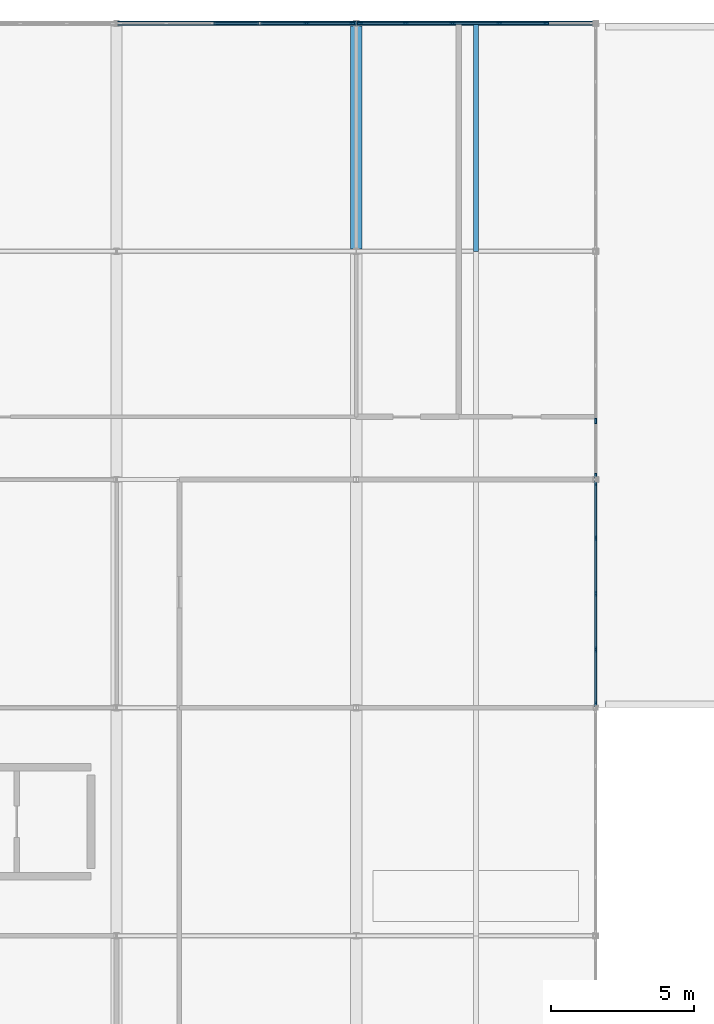
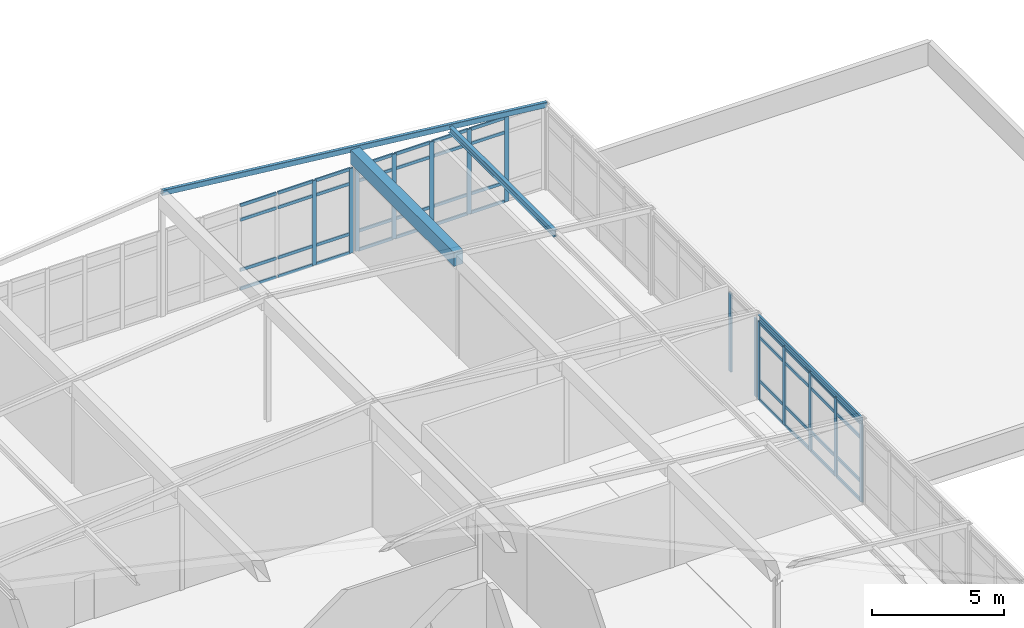
# One storey, part 13 of 25: 59 members, 3 beams, 4 elements without a shape of their own.
"""IFC4 building model written with IfcOpenShell, lengths in metres."""

import ifcopenshell
import ifcopenshell.guid

model = None  # the IFC model being written
_history = None  # IfcOwnerHistory: only IFC2X3 demands one
_inside = {}  # id of a spatial element -> (the spatial element, [elements in it])
_under = {}  # id of a project, library or spatial element -> (it, [spatial elements below it])
_declared = {}  # id of a project -> (the project, [libraries it declares])
_typed = {}  # id of a type object -> (the type object, [elements of that type])
_made_of = {}  # id of a material, layer set ... -> (it, [elements and type objects made of it])


def new_model(schema):
    """Start an empty IFC model of exactly this schema.

    Asked for "IFC4X3", IfcOpenShell would pick the latest addendum, in which some entities
    have other attributes; the version numbers below select the first issue.
    IFC2X3 requires an IfcOwnerHistory on every rooted entity: one is made here for all.
    """
    global model, _history
    if schema == "IFC4X3":
        model = ifcopenshell.file(schema_version=(4, 3, 0, 0))
    else:
        model = ifcopenshell.file(schema=schema)
    _inside.clear()
    _under.clear()
    _declared.clear()
    _typed.clear()
    _made_of.clear()
    _history = None
    if model.schema == "IFC2X3":
        org = make("IfcOrganization", Name="unknown")
        user = make(
            "IfcPersonAndOrganization",
            ThePerson=make("IfcPerson", FamilyName="unknown"),
            TheOrganization=org,
        )
        app = make(
            "IfcApplication",
            ApplicationDeveloper=org,
            Version="unknown",
            ApplicationFullName="unknown",
            ApplicationIdentifier="unknown",
        )
        _history = make(
            "IfcOwnerHistory",
            OwningUser=user,
            OwningApplication=app,
            ChangeAction="ADDED",
            CreationDate=0,
        )
    return model


def make(cls, **values):
    """One entity of the class cls with the attributes given. An attribute that is None is left unset."""
    return model.create_entity(
        cls, **{name: value for name, value in values.items() if value is not None}
    )


def rooted(cls, **values):
    """An entity with a GlobalId (a new one), such as an element, a storey or a relation."""
    return make(cls, GlobalId=ifcopenshell.guid.new(), OwnerHistory=_history, **values)


def si_unit(unit_type, name, prefix=None):
    """IfcSIUnit, for example si_unit("LENGTHUNIT", "METRE", prefix="MILLI")."""
    return make("IfcSIUnit", UnitType=unit_type, Prefix=prefix, Name=name)


def assignment(units):
    """IfcUnitAssignment: the units of a project."""
    return None if units is None else make("IfcUnitAssignment", Units=units)


def point(xyz):
    """IfcCartesianPoint."""
    return None if xyz is None else make("IfcCartesianPoint", Coordinates=xyz)


def direction(xyz):
    """IfcDirection."""
    return None if xyz is None else make("IfcDirection", DirectionRatios=xyz)


def frame(location, z_axis=None, x_axis=None):
    """IfcAxis2Placement3D, a coordinate frame: its origin and axes. An axis left out is left unset."""
    return make(
        "IfcAxis2Placement3D",
        Location=point(location),
        Axis=direction(z_axis),
        RefDirection=direction(x_axis),
    )


def frame_2d(location, x_axis=None):
    """IfcAxis2Placement2D, a coordinate frame in the plane: its origin and x axis."""
    return make(
        "IfcAxis2Placement2D", Location=point(location), RefDirection=direction(x_axis)
    )


def origin():
    """The frame at (0, 0, 0) with its axes left unset."""
    return frame((0.0, 0.0, 0.0))


def origin_2d():
    """The frame at (0, 0) in the plane with its x axis left unset."""
    return frame_2d((0.0, 0.0))


def place(relative_to, where):
    """IfcLocalPlacement: puts the frame where relative to a parent placement (None: the world)."""
    return make(
        "IfcLocalPlacement", PlacementRelTo=relative_to, RelativePlacement=where
    )


def context(
    kind, dimensions, precision=None, world=None, true_north=None, identifier=None
):
    """IfcGeometricRepresentationContext, for example the 3D "Model" context."""
    return make(
        "IfcGeometricRepresentationContext",
        ContextIdentifier=identifier,
        ContextType=kind,
        CoordinateSpaceDimension=dimensions,
        Precision=precision,
        WorldCoordinateSystem=world,
        TrueNorth=true_north,
    )


def subcontext(parent, identifier, kind, view, scale=None):
    """IfcGeometricRepresentationSubContext, for example "Body" below "Model"."""
    return make(
        "IfcGeometricRepresentationSubContext",
        ContextIdentifier=identifier,
        ContextType=kind,
        ParentContext=parent,
        TargetScale=scale,
        TargetView=view,
    )


def project(units=None, contexts=None):
    """IfcProject with its units and contexts."""
    return rooted(
        "IfcProject",
        Name="project",
        RepresentationContexts=contexts,
        UnitsInContext=assignment(units),
    )


def spatial(cls, under=None, at=None, **own):
    """A site, building, storey or space (cls), placed at a placement, below another one or the project."""
    s = rooted(cls, ObjectPlacement=at, **own)
    if under is not None:
        _under.setdefault(under.id(), (under, []))[1].append(s)
    return s


def profile(cls, at=None, kind="AREA", **sizes):
    """A parametric profile (cls). Its sizes go by their IFC names, for example OverallWidth=200.0."""
    return make(cls, ProfileType=kind, Position=at, **sizes)


def rectangle(**sizes):
    """IfcRectangleProfileDef."""
    return profile("IfcRectangleProfileDef", **sizes)


def hollow_rectangle(**sizes):
    """IfcRectangleHollowProfileDef."""
    return profile("IfcRectangleHollowProfileDef", **sizes)


def i_section(**sizes):
    """IfcIShapeProfileDef."""
    return profile("IfcIShapeProfileDef", **sizes)


def u_section(**sizes):
    """IfcUShapeProfileDef."""
    return profile("IfcUShapeProfileDef", **sizes)


def extrude(swept, where, along, depth):
    """IfcExtrudedAreaSolid: the profile swept, set in the frame where, extruded along a direction by depth."""
    return make(
        "IfcExtrudedAreaSolid",
        SweptArea=swept,
        Position=where,
        ExtrudedDirection=direction(along),
        Depth=depth,
    )


def shape(context_of_items, identifier, shape_type, items):
    """IfcShapeRepresentation: the items that make up one representation, for example the "Body"."""
    return make(
        "IfcShapeRepresentation",
        ContextOfItems=context_of_items,
        RepresentationIdentifier=identifier,
        RepresentationType=shape_type,
        Items=items,
    )


def material(Name=None, Category=None):
    """IfcMaterial."""
    return make("IfcMaterial", Name=Name, Category=Category)


def layer(
    of_material, thickness, ventilated=None, Name=None, Category=None, Priority=None
):
    """IfcMaterialLayer: one layer of a wall or slab, of a material (None: an air gap)."""
    return make(
        "IfcMaterialLayer",
        Material=of_material,
        LayerThickness=thickness,
        IsVentilated=ventilated,
        Name=Name,
        Category=Category,
        Priority=Priority,
    )


def layer_set(layers, Name=None):
    """IfcMaterialLayerSet."""
    return make("IfcMaterialLayerSet", MaterialLayers=layers, LayerSetName=Name)


def material_profile(
    of_material, cross_section, Name=None, Category=None, Priority=None
):
    """IfcMaterialProfile: a cross section and its material."""
    return make(
        "IfcMaterialProfile",
        Name=Name,
        Material=of_material,
        Profile=cross_section,
        Priority=Priority,
        Category=Category,
    )


def profile_set(profiles, Name=None, composite=None):
    """IfcMaterialProfileSet."""
    return make(
        "IfcMaterialProfileSet",
        Name=Name,
        MaterialProfiles=profiles,
        CompositeProfile=composite,
    )


def made_of(thing, what):
    """Note that an element or type object is made of a material, layer set ...; save() writes the relation."""
    if what is not None:
        _made_of.setdefault(what.id(), (what, []))[1].append(thing)
    return thing


def type_object(cls, material=None, **own):
    """A type object (cls), such as IfcWallType, which elements share."""
    return made_of(rooted(cls, **own), material)


def element(
    cls,
    number,
    at=None,
    inside=None,
    cuts=None,
    type_object=None,
    material=None,
    context=None,
    identifier="Body",
    shape_type=None,
    held_by="IfcProductDefinitionShape",
    body=None,
    shapes=None,
    **own,
):
    """One element of the class cls, such as IfcWall. Its Tag is "e" and its number.

    at: its placement. inside: the storey or other place that contains it. cuts: it is an
    opening in that element (IfcRelVoidsElement). A single representation is given by context,
    identifier, shape_type and body (its items); several are given by shapes. held_by: the class
    of the entity that holds the representations. save() writes the other relations.
    """
    e = rooted(cls, Tag="e%d" % number, ObjectPlacement=at, **own)
    if body is not None:
        shapes = [shape(context, identifier, shape_type, body)]
    if shapes is not None:
        e.Representation = make(held_by, Representations=shapes)
    if inside is not None:
        _inside.setdefault(inside.id(), (inside, []))[1].append(e)
    if cuts is not None:
        rooted(
            "IfcRelVoidsElement", RelatingBuildingElement=cuts, RelatedOpeningElement=e
        )
    if type_object is not None:
        _typed.setdefault(type_object.id(), (type_object, []))[1].append(e)
    return made_of(e, material)


def aggregate(whole, parts):
    """IfcRelAggregates: a whole, such as a stair, and the parts it consists of."""
    return rooted("IfcRelAggregates", RelatingObject=whole, RelatedObjects=parts)


def save(model, path):
    """Write the relations noted so far, then the file.

    IfcRelAggregates (storeys below a building ...), IfcRelContainedInSpatialStructure (elements
    in a storey), IfcRelDefinesByType, IfcRelAssociatesMaterial and IfcRelDeclares: one each for
    every whole, place, type object, material and project.
    """
    for whole, parts in _under.values():
        aggregate(whole, parts)
    for where, things in _inside.values():
        rooted(
            "IfcRelContainedInSpatialStructure",
            RelatedElements=things,
            RelatingStructure=where,
        )
    for kind, things in _typed.values():
        rooted("IfcRelDefinesByType", RelatedObjects=things, RelatingType=kind)
    for what, things in _made_of.values():
        rooted("IfcRelAssociatesMaterial", RelatedObjects=things, RelatingMaterial=what)
    for by, libraries in _declared.values():
        rooted("IfcRelDeclares", RelatingContext=by, RelatedDefinitions=libraries)
    model.write(path)


model = new_model("IFC4")

# Units and contexts
model_context = context("Model", 3, precision=1e-05, world=origin(), true_north=direction((0.0, 1.0)))
body_context = subcontext(model_context, "Body", "Model", "MODEL_VIEW")
ifc_project = project(units=[si_unit("LENGTHUNIT", "METRE"), si_unit("AREAUNIT", "SQUARE_METRE"), si_unit("VOLUMEUNIT", "CUBIC_METRE"), si_unit("PLANEANGLEUNIT", "RADIAN"), si_unit("MASSUNIT", "GRAM", prefix="KILO")], contexts=[model_context])

# Site, building, storey
site_placement = place(None, origin())
site = spatial("IfcSite", under=ifc_project, at=site_placement, CompositionType="ELEMENT")
building_placement = place(site_placement, origin())
building = spatial("IfcBuilding", under=site, at=building_placement, Name="Kranzveld Transit Interchange", CompositionType="ELEMENT")
storey_placement = place(building_placement, frame((0.0, 0.0, 21.0400390625)))
storey = spatial("IfcBuildingStorey", under=building, at=storey_placement, Name="L05", CompositionType="ELEMENT", Elevation=21.0400390625)

# Beam
ifc_material_1 = material(Name="Concrete C35/45", Category="concrete")
ifc_material_profile_1 = material_profile(ifc_material_1, rectangle(XDim=0.39990234375, YDim=0.64990234375, at=origin_2d()), Name="RC 400x650")
ifc_profile_set_1 = profile_set([ifc_material_profile_1], Name="Concrete C35/45")
beam_type_1 = type_object("IfcBeamType", Name="Beam RC 400x650 C35/45", PredefinedType="BEAM", material=ifc_profile_set_1)
beam_1_placement = place(storey_placement, frame((25.199951171875, 104.091552734375, 4.494873046875), z_axis=(0.0, 1.0, 0.0), x_axis=(-1.0, 0.0, 0.0)))
element("IfcBeam", 1, at=beam_1_placement, inside=storey, type_object=beam_type_1, Name="L05 Crown Beam 04/P-Q", PredefinedType="BEAM", context=body_context, shape_type="SweptSolid", body=[
    extrude(rectangle(XDim=0.39990234375, YDim=0.64990234375, at=origin_2d()), origin(), (0.0, 0.0, 1.0), 7.81689453125),
])

# Curtain wall, members
ifc_material_2 = material(Name="Bronze-anodised thermally broken aluminium", Category="aluminium")
ifc_layer = layer(ifc_material_2, 0.18505859375)
ifc_layer_set = layer_set([ifc_layer], Name="Bronze-anodised thermally broken aluminium")
curtain_wall_type = type_object("IfcCurtainWallType", Name="Control Crown Observation Facade CW-5", PredefinedType="USERDEFINED", material=ifc_layer_set)
curtain_wall_1_placement = place(storey_placement, origin())
curtain_wall_1 = element("IfcCurtainWall", 2, at=curtain_wall_1_placement, inside=storey, type_object=curtain_wall_type, Name="L05 Curtain Wall 05/M-05/N", ObjectType="CURTAIN WALL", PredefinedType="USERDEFINED")
ifc_material_3 = material(Name="Bronze-anodised thermally broken aluminium", Category="aluminium")
ifc_material_profile_2 = material_profile(ifc_material_3, rectangle(XDim=0.06494140625, YDim=0.179931640625, at=origin_2d()), Name="ALU MULLION 65x180")
ifc_profile_set_2 = profile_set([ifc_material_profile_2], Name="Bronze-anodised thermally broken aluminium")
member_type_1 = type_object("IfcMemberType", Name="Curtain Wall Mullion 65x180 Alu", PredefinedType="MULLION", material=ifc_profile_set_2)
member_1_placement = place(storey_placement, frame((33.60009765625, 88.12255859375, 0.0), z_axis=(0.0, 0.0, 1.0), x_axis=(-1.0, 0.0, 0.0)))
member_1 = element("IfcMember", 3, at=member_1_placement, type_object=member_type_1, Name="CW-5 mullion 1", PredefinedType="MULLION", context=body_context, shape_type="SweptSolid", body=[
    extrude(rectangle(XDim=0.06494140625, YDim=0.179931640625, at=origin_2d()), origin(), (0.0, 0.0, 1.0), 3.619873046875),
])
member_2_placement = place(storey_placement, frame((33.60009765625, 90.04248046875, 0.0), z_axis=(0.0, 0.0, 1.0), x_axis=(-1.0, 0.0, 0.0)))
member_2 = element("IfcMember", 4, at=member_2_placement, type_object=member_type_1, Name="CW-5 mullion 2", PredefinedType="MULLION", context=body_context, shape_type="SweptSolid", body=[
    extrude(rectangle(XDim=0.06494140625, YDim=0.179931640625, at=origin_2d()), origin(), (0.0, 0.0, 1.0), 3.619873046875),
])
member_3_placement = place(storey_placement, frame((33.60009765625, 91.9951171875, 0.0), z_axis=(0.0, 0.0, 1.0), x_axis=(-1.0, 0.0, 0.0)))
member_3 = element("IfcMember", 5, at=member_3_placement, type_object=member_type_1, Name="CW-5 mullion 3", PredefinedType="MULLION", context=body_context, shape_type="SweptSolid", body=[
    extrude(rectangle(XDim=0.06494140625, YDim=0.179931640625, at=origin_2d()), origin(), (0.0, 0.0, 1.0), 3.619873046875),
])
member_4_placement = place(storey_placement, frame((33.60009765625, 93.947509765625, 0.0), z_axis=(0.0, 0.0, 1.0), x_axis=(-1.0, 0.0, 0.0)))
member_4 = element("IfcMember", 6, at=member_4_placement, type_object=member_type_1, Name="CW-5 mullion 4", PredefinedType="MULLION", context=body_context, shape_type="SweptSolid", body=[
    extrude(rectangle(XDim=0.06494140625, YDim=0.179931640625, at=origin_2d()), origin(), (0.0, 0.0, 1.0), 3.619873046875),
])
member_5_placement = place(storey_placement, frame((33.60009765625, 95.867431640625, 0.0), z_axis=(0.0, 0.0, 1.0), x_axis=(-1.0, 0.0, 0.0)))
member_5 = element("IfcMember", 7, at=member_5_placement, type_object=member_type_1, Name="CW-5 mullion 5", PredefinedType="MULLION", context=body_context, shape_type="SweptSolid", body=[
    extrude(rectangle(XDim=0.06494140625, YDim=0.179931640625, at=origin_2d()), origin(), (0.0, 0.0, 1.0), 3.619873046875),
])

curtain_wall_2_placement = place(storey_placement, origin())
curtain_wall_2 = element("IfcCurtainWall", 8, at=curtain_wall_2_placement, inside=storey, type_object=curtain_wall_type, Name="L05 Curtain Wall 05/N-05/P", ObjectType="CURTAIN WALL", PredefinedType="USERDEFINED")
member_6_placement = place(storey_placement, frame((33.60009765625, 96.132568359375, 0.0), z_axis=(0.0, 0.0, 1.0), x_axis=(-1.0, 0.0, 0.0)))
member_6 = element("IfcMember", 9, at=member_6_placement, type_object=member_type_1, Name="CW-5 mullion 1", PredefinedType="MULLION", context=body_context, shape_type="SweptSolid", body=[
    extrude(rectangle(XDim=0.06494140625, YDim=0.179931640625, at=origin_2d()), origin(), (0.0, 0.0, 1.0), 3.619873046875),
])
member_7_placement = place(storey_placement, frame((33.60009765625, 98.050048828125, 0.0), z_axis=(0.0, 0.0, 1.0), x_axis=(-1.0, 0.0, 0.0)))
member_7 = element("IfcMember", 10, at=member_7_placement, type_object=member_type_1, Name="CW-5 mullion 2", PredefinedType="MULLION", context=body_context, shape_type="SweptSolid", body=[
    extrude(rectangle(XDim=0.06494140625, YDim=0.179931640625, at=origin_2d()), origin(), (0.0, 0.0, 1.0), 3.619873046875),
])
aggregate(curtain_wall_2, [member_6, member_7])

curtain_wall_3_placement = place(storey_placement, origin())
curtain_wall_3 = element("IfcCurtainWall", 11, at=curtain_wall_3_placement, inside=storey, type_object=curtain_wall_type, Name="L05 Curtain Wall 03/Q-04/Q", ObjectType="CURTAIN WALL", PredefinedType="USERDEFINED")
member_8_placement = place(storey_placement, frame((23.458984375, 112.0, 0.0), z_axis=(0.0, 0.0, 1.0), x_axis=(0.0, 1.0, 0.0)))
member_8 = element("IfcMember", 12, at=member_8_placement, type_object=member_type_1, Name="CW-5 mullion 5", PredefinedType="MULLION", context=body_context, shape_type="SweptSolid", body=[
    extrude(rectangle(XDim=0.06494140625, YDim=0.179931640625, at=origin_2d()), origin(), (0.0, 0.0, 1.0), 3.919921875),
])
member_9_placement = place(storey_placement, frame((25.065673828125, 112.0, 0.0), z_axis=(0.0, 0.0, 1.0), x_axis=(0.0, 1.0, 0.0)))
member_9 = element("IfcMember", 13, at=member_9_placement, type_object=member_type_1, Name="CW-5 mullion 6", PredefinedType="MULLION", context=body_context, shape_type="SweptSolid", body=[
    extrude(rectangle(XDim=0.06494140625, YDim=0.179931640625, at=origin_2d()), origin(), (0.0, 0.0, 1.0), 3.919921875),
])

curtain_wall_4_placement = place(storey_placement, origin())
curtain_wall_4 = element("IfcCurtainWall", 14, at=curtain_wall_4_placement, inside=storey, type_object=curtain_wall_type, Name="L05 Curtain Wall 04/Q-05/Q", ObjectType="CURTAIN WALL", PredefinedType="USERDEFINED")
member_10_placement = place(storey_placement, frame((25.334228515625, 112.0, 0.0), z_axis=(0.0, 0.0, 1.0), x_axis=(0.0, 1.0, 0.0)))
member_10 = element("IfcMember", 15, at=member_10_placement, type_object=member_type_1, Name="CW-5 mullion 1", PredefinedType="MULLION", context=body_context, shape_type="SweptSolid", body=[
    extrude(rectangle(XDim=0.06494140625, YDim=0.179931640625, at=origin_2d()), origin(), (0.0, 0.0, 1.0), 3.919921875),
])
member_11_placement = place(storey_placement, frame((26.94140625, 112.0, 0.0), z_axis=(0.0, 0.0, 1.0), x_axis=(0.0, 1.0, 0.0)))
member_11 = element("IfcMember", 16, at=member_11_placement, type_object=member_type_1, Name="CW-5 mullion 2", PredefinedType="MULLION", context=body_context, shape_type="SweptSolid", body=[
    extrude(rectangle(XDim=0.06494140625, YDim=0.179931640625, at=origin_2d()), origin(), (0.0, 0.0, 1.0), 3.919921875),
])
member_12_placement = place(storey_placement, frame((28.5810546875, 112.0, 0.0), z_axis=(0.0, 0.0, 1.0), x_axis=(0.0, 1.0, 0.0)))
member_12 = element("IfcMember", 17, at=member_12_placement, type_object=member_type_1, Name="CW-5 mullion 3", PredefinedType="MULLION", context=body_context, shape_type="SweptSolid", body=[
    extrude(rectangle(XDim=0.06494140625, YDim=0.179931640625, at=origin_2d()), origin(), (0.0, 0.0, 1.0), 3.919921875),
])
member_13_placement = place(storey_placement, frame((30.220703125, 112.0, 0.0), z_axis=(0.0, 0.0, 1.0), x_axis=(0.0, 1.0, 0.0)))
member_13 = element("IfcMember", 18, at=member_13_placement, type_object=member_type_1, Name="CW-5 mullion 4", PredefinedType="MULLION", context=body_context, shape_type="SweptSolid", body=[
    extrude(rectangle(XDim=0.06494140625, YDim=0.179931640625, at=origin_2d()), origin(), (0.0, 0.0, 1.0), 3.919921875),
])
member_14_placement = place(storey_placement, frame((31.8603515625, 112.0, 0.0), z_axis=(0.0, 0.0, 1.0), x_axis=(0.0, 1.0, 0.0)))
member_14 = element("IfcMember", 19, at=member_14_placement, type_object=member_type_1, Name="CW-5 mullion 5", PredefinedType="MULLION", context=body_context, shape_type="SweptSolid", body=[
    extrude(rectangle(XDim=0.06494140625, YDim=0.179931640625, at=origin_2d()), origin(), (0.0, 0.0, 1.0), 3.919921875),
])

# Member
ifc_material_4 = material(Name="Bronze-anodised thermally broken aluminium", Category="aluminium")
ifc_material_profile_3 = material_profile(ifc_material_4, rectangle(XDim=0.06494140625, YDim=0.139892578125, at=origin_2d()), Name="ALU TRANSOM 65x140")
ifc_profile_set_3 = profile_set([ifc_material_profile_3], Name="Bronze-anodised thermally broken aluminium")
member_type_2 = type_object("IfcMemberType", Name="Curtain Wall Transom 65x140 Alu", PredefinedType="USERDEFINED", material=ifc_profile_set_3)
member_15_placement = place(storey_placement, frame((33.60009765625, 88.155029296875, 0.032470703125), z_axis=(0.0, 1.0, 0.0), x_axis=(-1.0, 0.0, 0.0)))
member_15 = element("IfcMember", 20, at=member_15_placement, type_object=member_type_2, Name="CW-5 transom 1.1", ObjectType="TRANSOM", PredefinedType="USERDEFINED", context=body_context, shape_type="SweptSolid", body=[
    extrude(rectangle(XDim=0.06494140625, YDim=0.139892578125, at=origin_2d()), origin(), (0.0, 0.0, 1.0), 1.85498046875),
])

member_16_placement = place(storey_placement, frame((33.60009765625, 88.155029296875, 0.89990234375), z_axis=(0.0, 1.0, 0.0), x_axis=(-1.0, 0.0, 0.0)))
member_16 = element("IfcMember", 21, at=member_16_placement, type_object=member_type_2, Name="CW-5 transom 1.2", ObjectType="TRANSOM", PredefinedType="USERDEFINED", context=body_context, shape_type="SweptSolid", body=[
    extrude(rectangle(XDim=0.06494140625, YDim=0.139892578125, at=origin_2d()), origin(), (0.0, 0.0, 1.0), 1.85498046875),
])

member_17_placement = place(storey_placement, frame((33.60009765625, 88.155029296875, 2.919921875), z_axis=(0.0, 1.0, 0.0), x_axis=(-1.0, 0.0, 0.0)))
member_17 = element("IfcMember", 22, at=member_17_placement, type_object=member_type_2, Name="CW-5 transom 1.3", ObjectType="TRANSOM", PredefinedType="USERDEFINED", context=body_context, shape_type="SweptSolid", body=[
    extrude(rectangle(XDim=0.06494140625, YDim=0.139892578125, at=origin_2d()), origin(), (0.0, 0.0, 1.0), 1.85498046875),
])

member_18_placement = place(storey_placement, frame((33.60009765625, 88.155029296875, 3.58740234375), z_axis=(0.0, 1.0, 0.0), x_axis=(-1.0, 0.0, 0.0)))
member_18 = element("IfcMember", 23, at=member_18_placement, type_object=member_type_2, Name="CW-5 transom 1.4", ObjectType="TRANSOM", PredefinedType="USERDEFINED", context=body_context, shape_type="SweptSolid", body=[
    extrude(rectangle(XDim=0.06494140625, YDim=0.139892578125, at=origin_2d()), origin(), (0.0, 0.0, 1.0), 1.85498046875),
])

member_19_placement = place(storey_placement, frame((33.60009765625, 90.074951171875, 0.032470703125), z_axis=(0.0, 1.0, 0.0), x_axis=(-1.0, 0.0, 0.0)))
member_19 = element("IfcMember", 24, at=member_19_placement, type_object=member_type_2, Name="CW-5 transom 2.1", ObjectType="TRANSOM", PredefinedType="USERDEFINED", context=body_context, shape_type="SweptSolid", body=[
    extrude(rectangle(XDim=0.06494140625, YDim=0.139892578125, at=origin_2d()), origin(), (0.0, 0.0, 1.0), 1.887451171875),
])

member_20_placement = place(storey_placement, frame((33.60009765625, 90.074951171875, 0.89990234375), z_axis=(0.0, 1.0, 0.0), x_axis=(-1.0, 0.0, 0.0)))
member_20 = element("IfcMember", 25, at=member_20_placement, type_object=member_type_2, Name="CW-5 transom 2.2", ObjectType="TRANSOM", PredefinedType="USERDEFINED", context=body_context, shape_type="SweptSolid", body=[
    extrude(rectangle(XDim=0.06494140625, YDim=0.139892578125, at=origin_2d()), origin(), (0.0, 0.0, 1.0), 1.887451171875),
])

member_21_placement = place(storey_placement, frame((33.60009765625, 90.074951171875, 2.919921875), z_axis=(0.0, 1.0, 0.0), x_axis=(-1.0, 0.0, 0.0)))
member_21 = element("IfcMember", 26, at=member_21_placement, type_object=member_type_2, Name="CW-5 transom 2.3", ObjectType="TRANSOM", PredefinedType="USERDEFINED", context=body_context, shape_type="SweptSolid", body=[
    extrude(rectangle(XDim=0.06494140625, YDim=0.139892578125, at=origin_2d()), origin(), (0.0, 0.0, 1.0), 1.887451171875),
])

member_22_placement = place(storey_placement, frame((33.60009765625, 90.074951171875, 3.58740234375), z_axis=(0.0, 1.0, 0.0), x_axis=(-1.0, 0.0, 0.0)))
member_22 = element("IfcMember", 27, at=member_22_placement, type_object=member_type_2, Name="CW-5 transom 2.4", ObjectType="TRANSOM", PredefinedType="USERDEFINED", context=body_context, shape_type="SweptSolid", body=[
    extrude(rectangle(XDim=0.06494140625, YDim=0.139892578125, at=origin_2d()), origin(), (0.0, 0.0, 1.0), 1.887451171875),
])

member_23_placement = place(storey_placement, frame((33.60009765625, 92.027587890625, 0.032470703125), z_axis=(0.0, 1.0, 0.0), x_axis=(-1.0, 0.0, 0.0)))
member_23 = element("IfcMember", 28, at=member_23_placement, type_object=member_type_2, Name="CW-5 transom 3.1", ObjectType="TRANSOM", PredefinedType="USERDEFINED", context=body_context, shape_type="SweptSolid", body=[
    extrude(rectangle(XDim=0.06494140625, YDim=0.139892578125, at=origin_2d()), origin(), (0.0, 0.0, 1.0), 1.887451171875),
])

member_24_placement = place(storey_placement, frame((33.60009765625, 92.027587890625, 0.89990234375), z_axis=(0.0, 1.0, 0.0), x_axis=(-1.0, 0.0, 0.0)))
member_24 = element("IfcMember", 29, at=member_24_placement, type_object=member_type_2, Name="CW-5 transom 3.2", ObjectType="TRANSOM", PredefinedType="USERDEFINED", context=body_context, shape_type="SweptSolid", body=[
    extrude(rectangle(XDim=0.06494140625, YDim=0.139892578125, at=origin_2d()), origin(), (0.0, 0.0, 1.0), 1.887451171875),
])

member_25_placement = place(storey_placement, frame((33.60009765625, 92.027587890625, 2.919921875), z_axis=(0.0, 1.0, 0.0), x_axis=(-1.0, 0.0, 0.0)))
member_25 = element("IfcMember", 30, at=member_25_placement, type_object=member_type_2, Name="CW-5 transom 3.3", ObjectType="TRANSOM", PredefinedType="USERDEFINED", context=body_context, shape_type="SweptSolid", body=[
    extrude(rectangle(XDim=0.06494140625, YDim=0.139892578125, at=origin_2d()), origin(), (0.0, 0.0, 1.0), 1.887451171875),
])

member_26_placement = place(storey_placement, frame((33.60009765625, 92.027587890625, 3.58740234375), z_axis=(0.0, 1.0, 0.0), x_axis=(-1.0, 0.0, 0.0)))
member_26 = element("IfcMember", 31, at=member_26_placement, type_object=member_type_2, Name="CW-5 transom 3.4", ObjectType="TRANSOM", PredefinedType="USERDEFINED", context=body_context, shape_type="SweptSolid", body=[
    extrude(rectangle(XDim=0.06494140625, YDim=0.139892578125, at=origin_2d()), origin(), (0.0, 0.0, 1.0), 1.887451171875),
])

member_27_placement = place(storey_placement, frame((33.60009765625, 93.97998046875, 0.032470703125), z_axis=(0.0, 1.0, 0.0), x_axis=(-1.0, 0.0, 0.0)))
member_27 = element("IfcMember", 32, at=member_27_placement, type_object=member_type_2, Name="CW-5 transom 4.1", ObjectType="TRANSOM", PredefinedType="USERDEFINED", context=body_context, shape_type="SweptSolid", body=[
    extrude(rectangle(XDim=0.06494140625, YDim=0.139892578125, at=origin_2d()), origin(), (0.0, 0.0, 1.0), 1.85498046875),
])

member_28_placement = place(storey_placement, frame((33.60009765625, 93.97998046875, 0.89990234375), z_axis=(0.0, 1.0, 0.0), x_axis=(-1.0, 0.0, 0.0)))
member_28 = element("IfcMember", 33, at=member_28_placement, type_object=member_type_2, Name="CW-5 transom 4.2", ObjectType="TRANSOM", PredefinedType="USERDEFINED", context=body_context, shape_type="SweptSolid", body=[
    extrude(rectangle(XDim=0.06494140625, YDim=0.139892578125, at=origin_2d()), origin(), (0.0, 0.0, 1.0), 1.85498046875),
])

member_29_placement = place(storey_placement, frame((33.60009765625, 93.97998046875, 2.919921875), z_axis=(0.0, 1.0, 0.0), x_axis=(-1.0, 0.0, 0.0)))
member_29 = element("IfcMember", 34, at=member_29_placement, type_object=member_type_2, Name="CW-5 transom 4.3", ObjectType="TRANSOM", PredefinedType="USERDEFINED", context=body_context, shape_type="SweptSolid", body=[
    extrude(rectangle(XDim=0.06494140625, YDim=0.139892578125, at=origin_2d()), origin(), (0.0, 0.0, 1.0), 1.85498046875),
])

member_30_placement = place(storey_placement, frame((33.60009765625, 93.97998046875, 3.58740234375), z_axis=(0.0, 1.0, 0.0), x_axis=(-1.0, 0.0, 0.0)))
member_30 = element("IfcMember", 35, at=member_30_placement, type_object=member_type_2, Name="CW-5 transom 4.4", ObjectType="TRANSOM", PredefinedType="USERDEFINED", context=body_context, shape_type="SweptSolid", body=[
    extrude(rectangle(XDim=0.06494140625, YDim=0.139892578125, at=origin_2d()), origin(), (0.0, 0.0, 1.0), 1.85498046875),
])

aggregate(curtain_wall_1, [member_1, member_2, member_3, member_4, member_5, member_15, member_16, member_17, member_18, member_19, member_20, member_21, member_22, member_23, member_24, member_25, member_26, member_27, member_28, member_29, member_30])

member_31_placement = place(storey_placement, frame((20.212890625, 112.0, 0.032470703125), z_axis=(1.0, 0.0, 0.0), x_axis=(0.0, 1.0, 0.0)))
member_31 = element("IfcMember", 36, at=member_31_placement, type_object=member_type_2, Name="CW-5 transom 3.1", ObjectType="TRANSOM", PredefinedType="USERDEFINED", context=body_context, shape_type="SweptSolid", body=[
    extrude(rectangle(XDim=0.06494140625, YDim=0.139892578125, at=origin_2d()), origin(), (0.0, 0.0, 1.0), 1.57421875),
])

member_32_placement = place(storey_placement, frame((20.212890625, 112.0, 0.89990234375), z_axis=(1.0, 0.0, 0.0), x_axis=(0.0, 1.0, 0.0)))
member_32 = element("IfcMember", 37, at=member_32_placement, type_object=member_type_2, Name="CW-5 transom 3.2", ObjectType="TRANSOM", PredefinedType="USERDEFINED", context=body_context, shape_type="SweptSolid", body=[
    extrude(rectangle(XDim=0.06494140625, YDim=0.139892578125, at=origin_2d()), origin(), (0.0, 0.0, 1.0), 1.57421875),
])

member_33_placement = place(storey_placement, frame((20.212890625, 112.0, 3.219970703125), z_axis=(1.0, 0.0, 0.0), x_axis=(0.0, 1.0, 0.0)))
member_33 = element("IfcMember", 38, at=member_33_placement, type_object=member_type_2, Name="CW-5 transom 3.3", ObjectType="TRANSOM", PredefinedType="USERDEFINED", context=body_context, shape_type="SweptSolid", body=[
    extrude(rectangle(XDim=0.06494140625, YDim=0.139892578125, at=origin_2d()), origin(), (0.0, 0.0, 1.0), 1.57421875),
])

member_34_placement = place(storey_placement, frame((20.212890625, 112.0, 3.887451171875), z_axis=(1.0, 0.0, 0.0), x_axis=(0.0, 1.0, 0.0)))
member_34 = element("IfcMember", 39, at=member_34_placement, type_object=member_type_2, Name="CW-5 transom 3.4", ObjectType="TRANSOM", PredefinedType="USERDEFINED", context=body_context, shape_type="SweptSolid", body=[
    extrude(rectangle(XDim=0.06494140625, YDim=0.139892578125, at=origin_2d()), origin(), (0.0, 0.0, 1.0), 1.57421875),
])

member_35_placement = place(storey_placement, frame((21.85205078125, 112.0, 0.032470703125), z_axis=(1.0, 0.0, 0.0), x_axis=(0.0, 1.0, 0.0)))
member_35 = element("IfcMember", 40, at=member_35_placement, type_object=member_type_2, Name="CW-5 transom 4.1", ObjectType="TRANSOM", PredefinedType="USERDEFINED", context=body_context, shape_type="SweptSolid", body=[
    extrude(rectangle(XDim=0.06494140625, YDim=0.139892578125, at=origin_2d()), origin(), (0.0, 0.0, 1.0), 1.574462890625),
])

member_36_placement = place(storey_placement, frame((21.85205078125, 112.0, 0.89990234375), z_axis=(1.0, 0.0, 0.0), x_axis=(0.0, 1.0, 0.0)))
member_36 = element("IfcMember", 41, at=member_36_placement, type_object=member_type_2, Name="CW-5 transom 4.2", ObjectType="TRANSOM", PredefinedType="USERDEFINED", context=body_context, shape_type="SweptSolid", body=[
    extrude(rectangle(XDim=0.06494140625, YDim=0.139892578125, at=origin_2d()), origin(), (0.0, 0.0, 1.0), 1.574462890625),
])

member_37_placement = place(storey_placement, frame((21.85205078125, 112.0, 3.219970703125), z_axis=(1.0, 0.0, 0.0), x_axis=(0.0, 1.0, 0.0)))
member_37 = element("IfcMember", 42, at=member_37_placement, type_object=member_type_2, Name="CW-5 transom 4.3", ObjectType="TRANSOM", PredefinedType="USERDEFINED", context=body_context, shape_type="SweptSolid", body=[
    extrude(rectangle(XDim=0.06494140625, YDim=0.139892578125, at=origin_2d()), origin(), (0.0, 0.0, 1.0), 1.574462890625),
])

member_38_placement = place(storey_placement, frame((21.85205078125, 112.0, 3.887451171875), z_axis=(1.0, 0.0, 0.0), x_axis=(0.0, 1.0, 0.0)))
member_38 = element("IfcMember", 43, at=member_38_placement, type_object=member_type_2, Name="CW-5 transom 4.4", ObjectType="TRANSOM", PredefinedType="USERDEFINED", context=body_context, shape_type="SweptSolid", body=[
    extrude(rectangle(XDim=0.06494140625, YDim=0.139892578125, at=origin_2d()), origin(), (0.0, 0.0, 1.0), 1.574462890625),
])

member_39_placement = place(storey_placement, frame((23.491455078125, 112.0, 0.032470703125), z_axis=(1.0, 0.0, 0.0), x_axis=(0.0, 1.0, 0.0)))
member_39 = element("IfcMember", 44, at=member_39_placement, type_object=member_type_2, Name="CW-5 transom 5.1", ObjectType="TRANSOM", PredefinedType="USERDEFINED", context=body_context, shape_type="SweptSolid", body=[
    extrude(rectangle(XDim=0.06494140625, YDim=0.139892578125, at=origin_2d()), origin(), (0.0, 0.0, 1.0), 1.541748046875),
])

member_40_placement = place(storey_placement, frame((23.491455078125, 112.0, 0.89990234375), z_axis=(1.0, 0.0, 0.0), x_axis=(0.0, 1.0, 0.0)))
member_40 = element("IfcMember", 45, at=member_40_placement, type_object=member_type_2, Name="CW-5 transom 5.2", ObjectType="TRANSOM", PredefinedType="USERDEFINED", context=body_context, shape_type="SweptSolid", body=[
    extrude(rectangle(XDim=0.06494140625, YDim=0.139892578125, at=origin_2d()), origin(), (0.0, 0.0, 1.0), 1.541748046875),
])

member_41_placement = place(storey_placement, frame((23.491455078125, 112.0, 3.219970703125), z_axis=(1.0, 0.0, 0.0), x_axis=(0.0, 1.0, 0.0)))
member_41 = element("IfcMember", 46, at=member_41_placement, type_object=member_type_2, Name="CW-5 transom 5.3", ObjectType="TRANSOM", PredefinedType="USERDEFINED", context=body_context, shape_type="SweptSolid", body=[
    extrude(rectangle(XDim=0.06494140625, YDim=0.139892578125, at=origin_2d()), origin(), (0.0, 0.0, 1.0), 1.541748046875),
])

member_42_placement = place(storey_placement, frame((23.491455078125, 112.0, 3.887451171875), z_axis=(1.0, 0.0, 0.0), x_axis=(0.0, 1.0, 0.0)))
member_42 = element("IfcMember", 47, at=member_42_placement, type_object=member_type_2, Name="CW-5 transom 5.4", ObjectType="TRANSOM", PredefinedType="USERDEFINED", context=body_context, shape_type="SweptSolid", body=[
    extrude(rectangle(XDim=0.06494140625, YDim=0.139892578125, at=origin_2d()), origin(), (0.0, 0.0, 1.0), 1.541748046875),
])

aggregate(curtain_wall_3, [member_8, member_9, member_31, member_32, member_33, member_34, member_35, member_36, member_37, member_38, member_39, member_40, member_41, member_42])

member_43_placement = place(storey_placement, frame((25.36669921875, 112.0, 0.032470703125), z_axis=(1.0, 0.0, 0.0), x_axis=(0.0, 1.0, 0.0)))
member_43 = element("IfcMember", 48, at=member_43_placement, type_object=member_type_2, Name="CW-5 transom 1.1", ObjectType="TRANSOM", PredefinedType="USERDEFINED", context=body_context, shape_type="SweptSolid", body=[
    extrude(rectangle(XDim=0.06494140625, YDim=0.139892578125, at=origin_2d()), origin(), (0.0, 0.0, 1.0), 1.542236328125),
])

member_44_placement = place(storey_placement, frame((25.36669921875, 112.0, 0.89990234375), z_axis=(1.0, 0.0, 0.0), x_axis=(0.0, 1.0, 0.0)))
member_44 = element("IfcMember", 49, at=member_44_placement, type_object=member_type_2, Name="CW-5 transom 1.2", ObjectType="TRANSOM", PredefinedType="USERDEFINED", context=body_context, shape_type="SweptSolid", body=[
    extrude(rectangle(XDim=0.06494140625, YDim=0.139892578125, at=origin_2d()), origin(), (0.0, 0.0, 1.0), 1.542236328125),
])

member_45_placement = place(storey_placement, frame((25.36669921875, 112.0, 3.219970703125), z_axis=(1.0, 0.0, 0.0), x_axis=(0.0, 1.0, 0.0)))
member_45 = element("IfcMember", 50, at=member_45_placement, type_object=member_type_2, Name="CW-5 transom 1.3", ObjectType="TRANSOM", PredefinedType="USERDEFINED", context=body_context, shape_type="SweptSolid", body=[
    extrude(rectangle(XDim=0.06494140625, YDim=0.139892578125, at=origin_2d()), origin(), (0.0, 0.0, 1.0), 1.542236328125),
])

member_46_placement = place(storey_placement, frame((25.36669921875, 112.0, 3.887451171875), z_axis=(1.0, 0.0, 0.0), x_axis=(0.0, 1.0, 0.0)))
member_46 = element("IfcMember", 51, at=member_46_placement, type_object=member_type_2, Name="CW-5 transom 1.4", ObjectType="TRANSOM", PredefinedType="USERDEFINED", context=body_context, shape_type="SweptSolid", body=[
    extrude(rectangle(XDim=0.06494140625, YDim=0.139892578125, at=origin_2d()), origin(), (0.0, 0.0, 1.0), 1.542236328125),
])

member_47_placement = place(storey_placement, frame((26.973876953125, 112.0, 0.032470703125), z_axis=(1.0, 0.0, 0.0), x_axis=(0.0, 1.0, 0.0)))
member_47 = element("IfcMember", 52, at=member_47_placement, type_object=member_type_2, Name="CW-5 transom 2.1", ObjectType="TRANSOM", PredefinedType="USERDEFINED", context=body_context, shape_type="SweptSolid", body=[
    extrude(rectangle(XDim=0.06494140625, YDim=0.139892578125, at=origin_2d()), origin(), (0.0, 0.0, 1.0), 1.57470703125),
])

member_48_placement = place(storey_placement, frame((26.973876953125, 112.0, 0.89990234375), z_axis=(1.0, 0.0, 0.0), x_axis=(0.0, 1.0, 0.0)))
member_48 = element("IfcMember", 53, at=member_48_placement, type_object=member_type_2, Name="CW-5 transom 2.2", ObjectType="TRANSOM", PredefinedType="USERDEFINED", context=body_context, shape_type="SweptSolid", body=[
    extrude(rectangle(XDim=0.06494140625, YDim=0.139892578125, at=origin_2d()), origin(), (0.0, 0.0, 1.0), 1.57470703125),
])

member_49_placement = place(storey_placement, frame((26.973876953125, 112.0, 3.219970703125), z_axis=(1.0, 0.0, 0.0), x_axis=(0.0, 1.0, 0.0)))
member_49 = element("IfcMember", 54, at=member_49_placement, type_object=member_type_2, Name="CW-5 transom 2.3", ObjectType="TRANSOM", PredefinedType="USERDEFINED", context=body_context, shape_type="SweptSolid", body=[
    extrude(rectangle(XDim=0.06494140625, YDim=0.139892578125, at=origin_2d()), origin(), (0.0, 0.0, 1.0), 1.57470703125),
])

member_50_placement = place(storey_placement, frame((26.973876953125, 112.0, 3.887451171875), z_axis=(1.0, 0.0, 0.0), x_axis=(0.0, 1.0, 0.0)))
member_50 = element("IfcMember", 55, at=member_50_placement, type_object=member_type_2, Name="CW-5 transom 2.4", ObjectType="TRANSOM", PredefinedType="USERDEFINED", context=body_context, shape_type="SweptSolid", body=[
    extrude(rectangle(XDim=0.06494140625, YDim=0.139892578125, at=origin_2d()), origin(), (0.0, 0.0, 1.0), 1.57470703125),
])

member_51_placement = place(storey_placement, frame((28.613525390625, 112.0, 0.032470703125), z_axis=(1.0, 0.0, 0.0), x_axis=(0.0, 1.0, 0.0)))
member_51 = element("IfcMember", 56, at=member_51_placement, type_object=member_type_2, Name="CW-5 transom 3.1", ObjectType="TRANSOM", PredefinedType="USERDEFINED", context=body_context, shape_type="SweptSolid", body=[
    extrude(rectangle(XDim=0.06494140625, YDim=0.139892578125, at=origin_2d()), origin(), (0.0, 0.0, 1.0), 1.57470703125),
])

member_52_placement = place(storey_placement, frame((28.613525390625, 112.0, 0.89990234375), z_axis=(1.0, 0.0, 0.0), x_axis=(0.0, 1.0, 0.0)))
member_52 = element("IfcMember", 57, at=member_52_placement, type_object=member_type_2, Name="CW-5 transom 3.2", ObjectType="TRANSOM", PredefinedType="USERDEFINED", context=body_context, shape_type="SweptSolid", body=[
    extrude(rectangle(XDim=0.06494140625, YDim=0.139892578125, at=origin_2d()), origin(), (0.0, 0.0, 1.0), 1.57470703125),
])

member_53_placement = place(storey_placement, frame((28.613525390625, 112.0, 3.219970703125), z_axis=(1.0, 0.0, 0.0), x_axis=(0.0, 1.0, 0.0)))
member_53 = element("IfcMember", 58, at=member_53_placement, type_object=member_type_2, Name="CW-5 transom 3.3", ObjectType="TRANSOM", PredefinedType="USERDEFINED", context=body_context, shape_type="SweptSolid", body=[
    extrude(rectangle(XDim=0.06494140625, YDim=0.139892578125, at=origin_2d()), origin(), (0.0, 0.0, 1.0), 1.57470703125),
])

member_54_placement = place(storey_placement, frame((28.613525390625, 112.0, 3.887451171875), z_axis=(1.0, 0.0, 0.0), x_axis=(0.0, 1.0, 0.0)))
member_54 = element("IfcMember", 59, at=member_54_placement, type_object=member_type_2, Name="CW-5 transom 3.4", ObjectType="TRANSOM", PredefinedType="USERDEFINED", context=body_context, shape_type="SweptSolid", body=[
    extrude(rectangle(XDim=0.06494140625, YDim=0.139892578125, at=origin_2d()), origin(), (0.0, 0.0, 1.0), 1.57470703125),
])

member_55_placement = place(storey_placement, frame((30.253173828125, 112.0, 0.032470703125), z_axis=(1.0, 0.0, 0.0), x_axis=(0.0, 1.0, 0.0)))
member_55 = element("IfcMember", 60, at=member_55_placement, type_object=member_type_2, Name="CW-5 transom 4.1", ObjectType="TRANSOM", PredefinedType="USERDEFINED", context=body_context, shape_type="SweptSolid", body=[
    extrude(rectangle(XDim=0.06494140625, YDim=0.139892578125, at=origin_2d()), origin(), (0.0, 0.0, 1.0), 1.57470703125),
])

member_56_placement = place(storey_placement, frame((30.253173828125, 112.0, 0.89990234375), z_axis=(1.0, 0.0, 0.0), x_axis=(0.0, 1.0, 0.0)))
member_56 = element("IfcMember", 61, at=member_56_placement, type_object=member_type_2, Name="CW-5 transom 4.2", ObjectType="TRANSOM", PredefinedType="USERDEFINED", context=body_context, shape_type="SweptSolid", body=[
    extrude(rectangle(XDim=0.06494140625, YDim=0.139892578125, at=origin_2d()), origin(), (0.0, 0.0, 1.0), 1.57470703125),
])

member_57_placement = place(storey_placement, frame((30.253173828125, 112.0, 3.219970703125), z_axis=(1.0, 0.0, 0.0), x_axis=(0.0, 1.0, 0.0)))
member_57 = element("IfcMember", 62, at=member_57_placement, type_object=member_type_2, Name="CW-5 transom 4.3", ObjectType="TRANSOM", PredefinedType="USERDEFINED", context=body_context, shape_type="SweptSolid", body=[
    extrude(rectangle(XDim=0.06494140625, YDim=0.139892578125, at=origin_2d()), origin(), (0.0, 0.0, 1.0), 1.57470703125),
])

member_58_placement = place(storey_placement, frame((30.253173828125, 112.0, 3.887451171875), z_axis=(1.0, 0.0, 0.0), x_axis=(0.0, 1.0, 0.0)))
member_58 = element("IfcMember", 63, at=member_58_placement, type_object=member_type_2, Name="CW-5 transom 4.4", ObjectType="TRANSOM", PredefinedType="USERDEFINED", context=body_context, shape_type="SweptSolid", body=[
    extrude(rectangle(XDim=0.06494140625, YDim=0.139892578125, at=origin_2d()), origin(), (0.0, 0.0, 1.0), 1.57470703125),
])

aggregate(curtain_wall_4, [member_10, member_11, member_12, member_13, member_14, member_43, member_44, member_45, member_46, member_47, member_48, member_49, member_50, member_51, member_52, member_53, member_54, member_55, member_56, member_57, member_58])

# Beams
ifc_material_5 = material(Name="Steel S355JR", Category="steel")
ifc_material_profile_4 = material_profile(ifc_material_5, u_section(Depth=0.300048828125, FlangeWidth=0.090087890625, WebThickness=0.009033203125, FlangeThickness=0.015380859375, FilletRadius=0.011962890625, at=origin_2d()), Name="PFC 300x90x41")
ifc_profile_set_4 = profile_set([ifc_material_profile_4], Name="Steel S355JR")
beam_type_2 = type_object("IfcBeamType", Name="Edge Spandrel PFC 300x90x41 S355JR", PredefinedType="SPANDREL", material=ifc_profile_set_4)
beam_2_placement = place(storey_placement, frame((33.60009765625, 88.080078125, 3.77001953125), z_axis=(0.0, 1.0, 0.0), x_axis=(-1.0, 0.0, 0.0)))
element("IfcBeam", 64, at=beam_2_placement, inside=storey, type_object=beam_type_2, Name="L05 Crown Beam 05/M-N", PredefinedType="SPANDREL", context=body_context, shape_type="SweptSolid", body=[
    extrude(u_section(Depth=0.300048828125, FlangeWidth=0.090087890625, WebThickness=0.009033203125, FlangeThickness=0.015380859375, FilletRadius=0.011962890625, at=origin_2d()), origin(), (0.0, 0.0, 1.0), 7.829833984375),
])
ifc_material_6 = material(Name="Steel S355JR", Category="steel")
ifc_material_profile_5 = material_profile(ifc_material_6, i_section(OverallWidth=0.1650390625, OverallDepth=0.303466796875, WebThickness=0.006103515625, FlangeThickness=0.01025390625, FilletRadius=0.0087890625, at=origin_2d()), Name="UB 305x165x40")
ifc_profile_set_5 = profile_set([ifc_material_profile_5], Name="Steel S355JR")
beam_type_3 = type_object("IfcBeamType", Name="Roof Joist UB 305x165x40 S355JR", PredefinedType="JOIST", material=ifc_profile_set_5)
beam_3_placement = place(storey_placement, frame((29.39990234375, 104.0, 4.217041015625), z_axis=(0.0, 1.0, 0.0), x_axis=(-1.0, 0.0, 0.0)))
element("IfcBeam", 65, at=beam_3_placement, inside=storey, type_object=beam_type_3, Name="L05 Crown Roof Joist P-Q E", PredefinedType="JOIST", context=body_context, shape_type="SweptSolid", body=[
    extrude(i_section(OverallWidth=0.1650390625, OverallDepth=0.303466796875, WebThickness=0.006103515625, FlangeThickness=0.01025390625, FilletRadius=0.0087890625, at=origin_2d()), origin(), (0.0, 0.0, 1.0), 8.0),
])

# Member
ifc_material_7 = material(Name="Steel S355JR", Category="steel")
ifc_material_profile_6 = material_profile(ifc_material_7, hollow_rectangle(XDim=0.14990234375, YDim=0.25, WallThickness=0.008056640625, InnerFilletRadius=0.011962890625, OuterFilletRadius=0.02001953125, at=origin_2d()), Name="RHS 250x150x8")
ifc_profile_set_6 = profile_set([ifc_material_profile_6], Name="Steel S355JR")
member_type_3 = type_object("IfcMemberType", Name="Truss Chord RHS 250x150x8 S355JR", PredefinedType="CHORD", material=ifc_profile_set_6)
member_59_placement = place(storey_placement, frame((16.800048828125, 112.0, 5.679931640625), z_axis=(0.994308880598, 0.0, -0.106535674606), x_axis=(0.0, 1.0, 0.0)))
element("IfcMember", 66, at=member_59_placement, inside=storey, type_object=member_type_3, Name="L05 Vaulted Crown Rafter Q-E", PredefinedType="CHORD", context=body_context, shape_type="SweptSolid", body=[
    extrude(hollow_rectangle(XDim=0.14990234375, YDim=0.25, WallThickness=0.008056640625, InnerFilletRadius=0.011962890625, OuterFilletRadius=0.02001953125, at=origin_2d()), origin(), (0.0, 0.0, 1.0), 16.896240234375),
])

save(model, "model.ifc")
